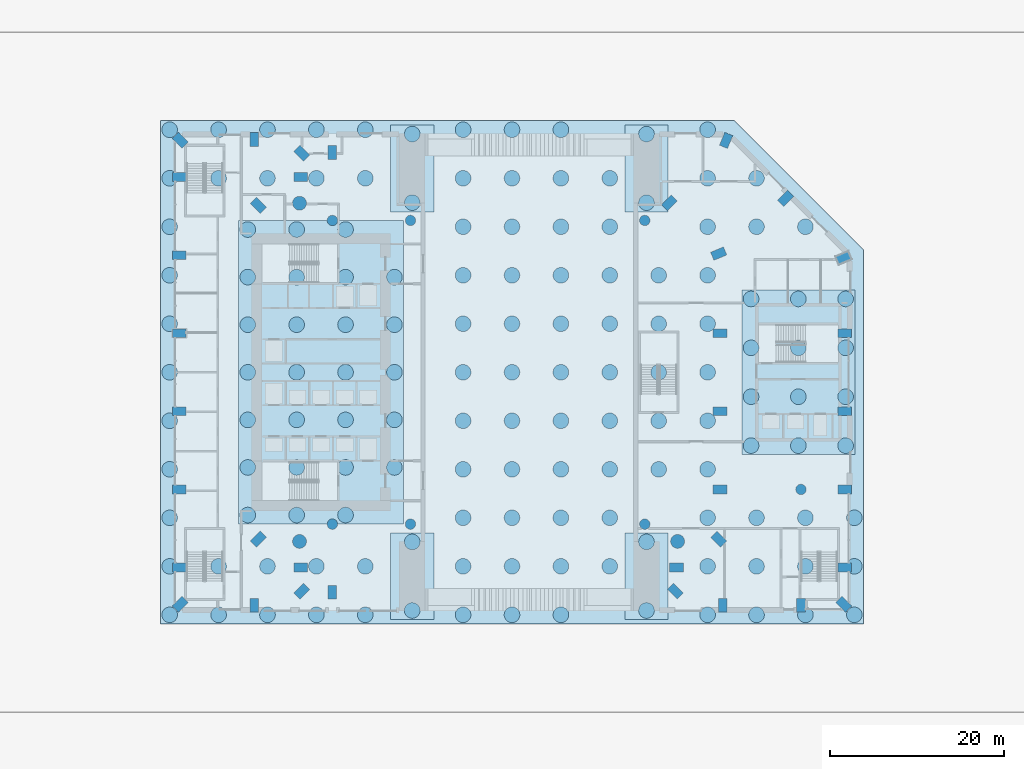
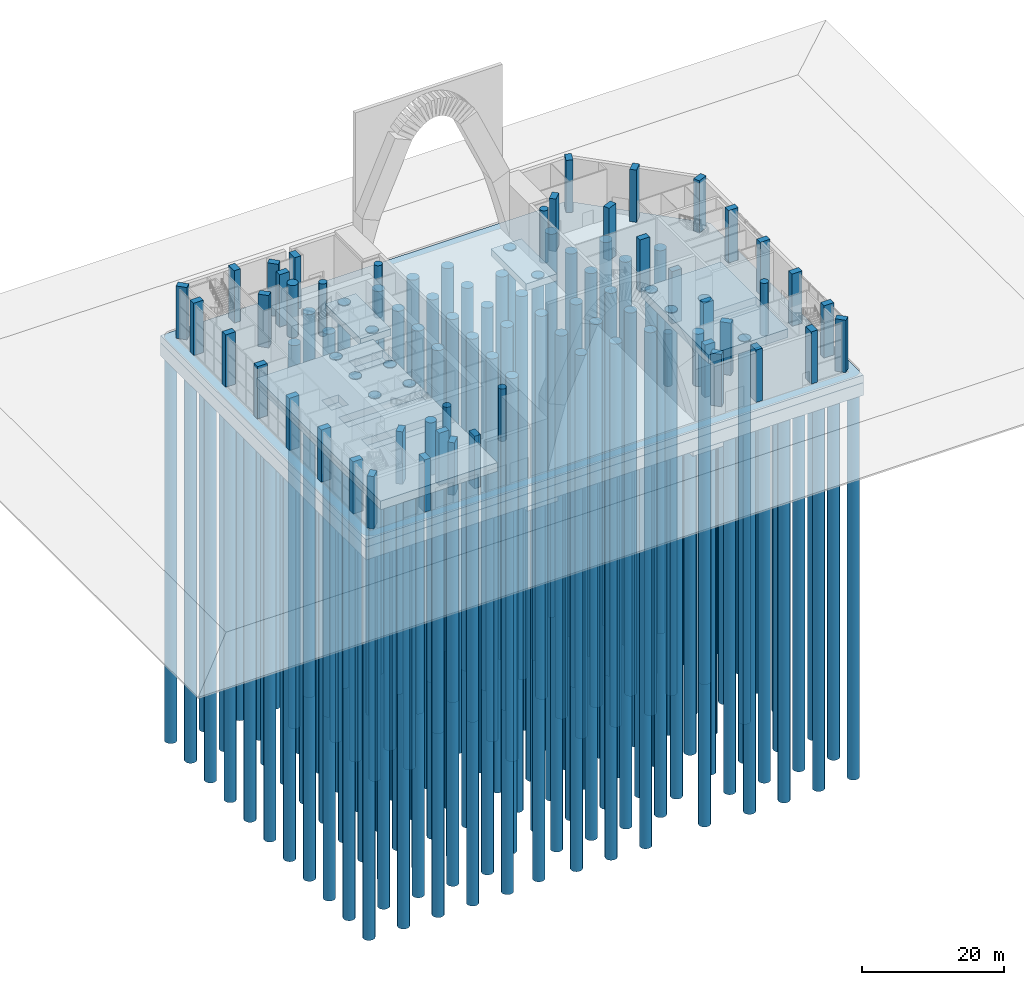
# One storey, part 1 of 25: 143 piles, 46 columns, 8 footings.
"""IFC4 building model written with IfcOpenShell, lengths in metres."""

from ifc_helpers import new_model, si_unit, direction, frame, origin, origin_2d, place, context, subcontext, project, spatial, polyline, rectangle, circle, outline, extrude, material, layer, layer_set, material_profile, profile_set, type_object, element, save


model = new_model("IFC4")

# Units and contexts
model_context = context("Model", 3, precision=1e-05, world=origin(), true_north=direction((0.0, 1.0)))
body_context = subcontext(model_context, "Body", "Model", "MODEL_VIEW")
ifc_project = project(units=[si_unit("LENGTHUNIT", "METRE"), si_unit("AREAUNIT", "SQUARE_METRE"), si_unit("VOLUMEUNIT", "CUBIC_METRE"), si_unit("PLANEANGLEUNIT", "RADIAN"), si_unit("MASSUNIT", "GRAM", prefix="KILO")], contexts=[model_context])

# Site, building, storey
site_placement = place(None, origin())
site = spatial("IfcSite", under=ifc_project, at=site_placement, CompositionType="ELEMENT")
building_placement = place(site_placement, origin())
building = spatial("IfcBuilding", under=site, at=building_placement, Name="Cypress Arch Tower", CompositionType="ELEMENT")
storey_placement = place(building_placement, origin())
storey = spatial("IfcBuildingStorey", under=building, at=storey_placement, Name="L00", CompositionType="ELEMENT", Elevation=0.0)

# Piles
ifc_material_1 = material(Name="Concrete C40/50", Category="concrete")
ifc_material_profile_1 = material_profile(ifc_material_1, circle(Radius=0.89990234375, at=origin_2d()), Name="RC D1800")
ifc_profile_set_1 = profile_set([ifc_material_profile_1], Name="Concrete C40/50")
pile_type = type_object("IfcPileType", Name="Bored pile RC D1800 Concrete C40/50", PredefinedType="BORED", material=ifc_profile_set_1)
for number, where, z_axis, x_axis, name in (
    (1, (-39.449951171875, -27.949951171875, -3.699951171875), (0.0, 0.0, -1.0), (1.0, 0.0, 0.0), "Bored pile 001"),
    (2, (-39.449951171875, -22.360107421875, -3.699951171875), (0.0, 0.0, -1.0), (1.0, 0.0, 0.0), "Bored pile 002"),
    (3, (-39.449951171875, -16.77001953125, -3.699951171875), (0.0, 0.0, -1.0), (1.0, 0.0, 0.0), "Bored pile 003"),
    (4, (-39.449951171875, -11.179931640625, -3.699951171875), (0.0, 0.0, -1.0), (1.0, 0.0, 0.0), "Bored pile 004"),
    (5, (-39.449951171875, -5.590087890625, -3.699951171875), (0.0, 0.0, -1.0), (1.0, 0.0, 0.0), "Bored pile 005"),
    (6, (-39.449951171875, 0.0, -3.699951171875), (0.0, 0.0, -1.0), (1.0, 0.0, 0.0), "Bored pile 006"),
    (7, (-39.449951171875, 5.590087890625, -3.699951171875), (0.0, 0.0, -1.0), (1.0, 0.0, 0.0), "Bored pile 007"),
    (8, (-39.449951171875, 11.179931640625, -3.699951171875), (0.0, 0.0, -1.0), (1.0, 0.0, 0.0), "Bored pile 008"),
    (9, (-39.449951171875, 16.77001953125, -3.699951171875), (0.0, 0.0, -1.0), (1.0, 0.0, 0.0), "Bored pile 009"),
    (10, (-39.449951171875, 22.360107421875, -3.699951171875), (0.0, 0.0, -1.0), (1.0, 0.0, 0.0), "Bored pile 010"),
    (11, (-39.449951171875, 27.949951171875, -3.699951171875), (0.0, 0.0, -1.0), (1.0, 0.0, 0.0), "Bored pile 011"),
    (12, (-33.81396484375, -27.949951171875, -3.699951171875), (0.0, 0.0, -1.0), (1.0, 0.0, 0.0), "Bored pile 012"),
    (13, (-33.81396484375, -22.360107421875, -3.699951171875), (0.0, 0.0, -1.0), (1.0, 0.0, 0.0), "Bored pile 013"),
    (14, (-33.81396484375, 22.360107421875, -3.699951171875), (0.0, 0.0, -1.0), (1.0, 0.0, 0.0), "Bored pile 014"),
    (15, (-33.81396484375, 27.949951171875, -3.699951171875), (0.0, 0.0, -1.0), (1.0, 0.0, 0.0), "Bored pile 015"),
    (16, (-28.178955078125, -27.949951171875, -3.699951171875), (0.0, 0.0, -1.0), (1.0, 0.0, 0.0), "Bored pile 016"),
    (17, (-28.178955078125, -22.360107421875, -3.699951171875), (0.0, 0.0, -1.0), (1.0, 0.0, 0.0), "Bored pile 017"),
    (18, (-28.178955078125, 22.360107421875, -3.699951171875), (0.0, 0.0, -1.0), (1.0, 0.0, 0.0), "Bored pile 018"),
    (19, (-28.178955078125, 27.949951171875, -3.699951171875), (0.0, 0.0, -1.0), (1.0, 0.0, 0.0), "Bored pile 019"),
    (20, (-22.54296875, -27.949951171875, -3.699951171875), (0.0, 0.0, -1.0), (1.0, 0.0, 0.0), "Bored pile 020"),
    (21, (-22.54296875, -22.360107421875, -3.699951171875), (0.0, 0.0, -1.0), (1.0, 0.0, 0.0), "Bored pile 021"),
    (22, (-22.54296875, 22.360107421875, -3.699951171875), (0.0, 0.0, -1.0), (1.0, 0.0, 0.0), "Bored pile 022"),
    (23, (-22.54296875, 27.949951171875, -3.699951171875), (0.0, 0.0, -1.0), (1.0, 0.0, 0.0), "Bored pile 023"),
    (24, (-16.906982421875, -27.949951171875, -3.699951171875), (0.0, 0.0, -1.0), (1.0, 0.0, 0.0), "Bored pile 024"),
    (25, (-16.906982421875, -22.360107421875, -3.699951171875), (0.0, 0.0, -1.0), (1.0, 0.0, 0.0), "Bored pile 025"),
    (26, (-16.906982421875, 22.360107421875, -3.699951171875), (0.0, 0.0, -1.0), (1.0, 0.0, 0.0), "Bored pile 026"),
    (27, (-16.906982421875, 27.949951171875, -3.699951171875), (0.0, 0.0, -1.0), (1.0, 0.0, 0.0), "Bored pile 027"),
    (28, (-5.635986328125, -27.949951171875, -3.699951171875), (0.0, 0.0, -1.0), (1.0, 0.0, 0.0), "Bored pile 028"),
    (29, (-5.635986328125, -22.360107421875, -3.699951171875), (0.0, 0.0, -1.0), (1.0, 0.0, 0.0), "Bored pile 029"),
    (30, (-5.635986328125, -16.77001953125, -3.699951171875), (0.0, 0.0, -1.0), (1.0, 0.0, 0.0), "Bored pile 030"),
    (31, (-5.635986328125, -11.179931640625, -3.699951171875), (0.0, 0.0, -1.0), (1.0, 0.0, 0.0), "Bored pile 031"),
    (32, (-5.635986328125, -5.590087890625, -3.699951171875), (0.0, 0.0, -1.0), (1.0, 0.0, 0.0), "Bored pile 032"),
    (33, (-5.635986328125, 0.0, -3.699951171875), (0.0, 0.0, -1.0), (1.0, 0.0, 0.0), "Bored pile 033"),
    (34, (-5.635986328125, 5.590087890625, -3.699951171875), (0.0, 0.0, -1.0), (1.0, 0.0, 0.0), "Bored pile 034"),
    (35, (-5.635986328125, 11.179931640625, -3.699951171875), (0.0, 0.0, -1.0), (1.0, 0.0, 0.0), "Bored pile 035"),
    (36, (-5.635986328125, 16.77001953125, -3.699951171875), (0.0, 0.0, -1.0), (1.0, 0.0, 0.0), "Bored pile 036"),
    (37, (-5.635986328125, 22.360107421875, -3.699951171875), (0.0, 0.0, -1.0), (1.0, 0.0, 0.0), "Bored pile 037"),
    (38, (-5.635986328125, 27.949951171875, -3.699951171875), (0.0, 0.0, -1.0), (1.0, 0.0, 0.0), "Bored pile 038"),
    (39, (0.0, -27.949951171875, -3.699951171875), (0.0, 0.0, -1.0), (1.0, 0.0, 0.0), "Bored pile 039"),
    (40, (0.0, -22.360107421875, -3.699951171875), (0.0, 0.0, -1.0), (1.0, 0.0, 0.0), "Bored pile 040"),
    (41, (0.0, -16.77001953125, -3.699951171875), (0.0, 0.0, -1.0), (1.0, 0.0, 0.0), "Bored pile 041"),
    (42, (0.0, -11.179931640625, -3.699951171875), (0.0, 0.0, -1.0), (1.0, 0.0, 0.0), "Bored pile 042"),
    (43, (0.0, -5.590087890625, -3.699951171875), (0.0, 0.0, -1.0), (1.0, 0.0, 0.0), "Bored pile 043"),
    (44, (0.0, 0.0, -3.699951171875), (0.0, 0.0, -1.0), (1.0, 0.0, 0.0), "Bored pile 044"),
    (45, (0.0, 5.590087890625, -3.699951171875), (0.0, 0.0, -1.0), (1.0, 0.0, 0.0), "Bored pile 045"),
    (46, (0.0, 11.179931640625, -3.699951171875), (0.0, 0.0, -1.0), (1.0, 0.0, 0.0), "Bored pile 046"),
    (47, (0.0, 16.77001953125, -3.699951171875), (0.0, 0.0, -1.0), (1.0, 0.0, 0.0), "Bored pile 047"),
    (48, (0.0, 22.360107421875, -3.699951171875), (0.0, 0.0, -1.0), (1.0, 0.0, 0.0), "Bored pile 048"),
    (49, (0.0, 27.949951171875, -3.699951171875), (0.0, 0.0, -1.0), (1.0, 0.0, 0.0), "Bored pile 049"),
    (50, (5.635986328125, -27.949951171875, -3.699951171875), (0.0, 0.0, -1.0), (1.0, 0.0, 0.0), "Bored pile 050"),
    (51, (5.635986328125, -22.360107421875, -3.699951171875), (0.0, 0.0, -1.0), (1.0, 0.0, 0.0), "Bored pile 051"),
    (52, (5.635986328125, -16.77001953125, -3.699951171875), (0.0, 0.0, -1.0), (1.0, 0.0, 0.0), "Bored pile 052"),
    (53, (5.635986328125, -11.179931640625, -3.699951171875), (0.0, 0.0, -1.0), (1.0, 0.0, 0.0), "Bored pile 053"),
    (54, (5.635986328125, -5.590087890625, -3.699951171875), (0.0, 0.0, -1.0), (1.0, 0.0, 0.0), "Bored pile 054"),
    (55, (5.635986328125, 0.0, -3.699951171875), (0.0, 0.0, -1.0), (1.0, 0.0, 0.0), "Bored pile 055"),
    (56, (5.635986328125, 5.590087890625, -3.699951171875), (0.0, 0.0, -1.0), (1.0, 0.0, 0.0), "Bored pile 056"),
    (57, (5.635986328125, 11.179931640625, -3.699951171875), (0.0, 0.0, -1.0), (1.0, 0.0, 0.0), "Bored pile 057"),
    (58, (5.635986328125, 16.77001953125, -3.699951171875), (0.0, 0.0, -1.0), (1.0, 0.0, 0.0), "Bored pile 058"),
    (59, (5.635986328125, 22.360107421875, -3.699951171875), (0.0, 0.0, -1.0), (1.0, 0.0, 0.0), "Bored pile 059"),
    (60, (5.635986328125, 27.949951171875, -3.699951171875), (0.0, 0.0, -1.0), (1.0, 0.0, 0.0), "Bored pile 060"),
    (61, (11.27099609375, -22.360107421875, -3.699951171875), (0.0, 0.0, -1.0), (1.0, 0.0, 0.0), "Bored pile 061"),
    (62, (11.27099609375, -16.77001953125, -3.699951171875), (0.0, 0.0, -1.0), (1.0, 0.0, 0.0), "Bored pile 062"),
    (63, (11.27099609375, -11.179931640625, -3.699951171875), (0.0, 0.0, -1.0), (1.0, 0.0, 0.0), "Bored pile 063"),
    (64, (11.27099609375, -5.590087890625, -3.699951171875), (0.0, 0.0, -1.0), (1.0, 0.0, 0.0), "Bored pile 064"),
    (65, (11.27099609375, 0.0, -3.699951171875), (0.0, 0.0, -1.0), (1.0, 0.0, 0.0), "Bored pile 065"),
    (66, (11.27099609375, 5.590087890625, -3.699951171875), (0.0, 0.0, -1.0), (1.0, 0.0, 0.0), "Bored pile 066"),
    (67, (11.27099609375, 11.179931640625, -3.699951171875), (0.0, 0.0, -1.0), (1.0, 0.0, 0.0), "Bored pile 067"),
    (68, (11.27099609375, 16.77001953125, -3.699951171875), (0.0, 0.0, -1.0), (1.0, 0.0, 0.0), "Bored pile 068"),
    (69, (11.27099609375, 22.360107421875, -3.699951171875), (0.0, 0.0, -1.0), (1.0, 0.0, 0.0), "Bored pile 069"),
    (70, (16.906982421875, -11.179931640625, -3.699951171875), (0.0, 0.0, -1.0), (1.0, 0.0, 0.0), "Bored pile 070"),
    (71, (16.906982421875, -5.590087890625, -3.699951171875), (0.0, 0.0, -1.0), (1.0, 0.0, 0.0), "Bored pile 071"),
    (72, (16.906982421875, 0.0, -3.699951171875), (0.0, 0.0, -1.0), (1.0, 0.0, 0.0), "Bored pile 072"),
    (73, (16.906982421875, 5.590087890625, -3.699951171875), (0.0, 0.0, -1.0), (1.0, 0.0, 0.0), "Bored pile 073"),
    (74, (16.906982421875, 11.179931640625, -3.699951171875), (0.0, 0.0, -1.0), (1.0, 0.0, 0.0), "Bored pile 074"),
    (75, (22.54296875, -27.949951171875, -3.699951171875), (0.0, 0.0, -1.0), (1.0, 0.0, 0.0), "Bored pile 075"),
    (76, (22.54296875, -22.360107421875, -3.699951171875), (0.0, 0.0, -1.0), (1.0, 0.0, 0.0), "Bored pile 076"),
    (77, (22.54296875, -16.77001953125, -3.699951171875), (0.0, 0.0, -1.0), (1.0, 0.0, 0.0), "Bored pile 077"),
    (78, (22.54296875, -11.179931640625, -3.699951171875), (0.0, 0.0, -1.0), (1.0, 0.0, 0.0), "Bored pile 078"),
    (79, (22.54296875, -5.590087890625, -3.699951171875), (0.0, 0.0, -1.0), (1.0, 0.0, 0.0), "Bored pile 079"),
    (80, (22.54296875, 0.0, -3.699951171875), (0.0, 0.0, -1.0), (1.0, 0.0, 0.0), "Bored pile 080"),
    (81, (22.54296875, 5.590087890625, -3.699951171875), (0.0, 0.0, -1.0), (1.0, 0.0, 0.0), "Bored pile 081"),
    (82, (22.54296875, 11.179931640625, -3.699951171875), (0.0, 0.0, -1.0), (1.0, 0.0, 0.0), "Bored pile 082"),
    (83, (22.54296875, 16.77001953125, -3.699951171875), (0.0, 0.0, -1.0), (1.0, 0.0, 0.0), "Bored pile 083"),
    (84, (22.54296875, 22.360107421875, -3.699951171875), (0.0, 0.0, -1.0), (1.0, 0.0, 0.0), "Bored pile 084"),
    (85, (22.54296875, 27.949951171875, -3.699951171875), (0.0, 0.0, -1.0), (1.0, 0.0, 0.0), "Bored pile 085"),
    (86, (28.178955078125, -27.949951171875, -3.699951171875), (0.0, 0.0, -1.0), (1.0, 0.0, 0.0), "Bored pile 086"),
    (87, (28.178955078125, -22.360107421875, -3.699951171875), (0.0, 0.0, -1.0), (1.0, 0.0, 0.0), "Bored pile 087"),
    (88, (28.178955078125, -16.77001953125, -3.699951171875), (0.0, 0.0, -1.0), (1.0, 0.0, 0.0), "Bored pile 088"),
    (89, (28.178955078125, 16.77001953125, -3.699951171875), (0.0, 0.0, -1.0), (1.0, 0.0, 0.0), "Bored pile 089"),
    (90, (28.178955078125, 22.360107421875, -3.699951171875), (0.0, 0.0, -1.0), (1.0, 0.0, 0.0), "Bored pile 090"),
    (91, (33.81396484375, -27.949951171875, -3.699951171875), (0.0, 0.0, -1.0), (1.0, 0.0, 0.0), "Bored pile 091"),
    (92, (33.81396484375, -22.360107421875, -3.699951171875), (0.0, 0.0, -1.0), (1.0, 0.0, 0.0), "Bored pile 092"),
    (93, (33.81396484375, -16.77001953125, -3.699951171875), (0.0, 0.0, -1.0), (1.0, 0.0, 0.0), "Bored pile 093"),
    (94, (33.81396484375, 16.77001953125, -3.699951171875), (0.0, 0.0, -1.0), (1.0, 0.0, 0.0), "Bored pile 094"),
    (95, (39.449951171875, -27.949951171875, -3.699951171875), (0.0, 0.0, -1.0), (1.0, 0.0, 0.0), "Bored pile 095"),
    (96, (39.449951171875, -22.360107421875, -3.699951171875), (0.0, 0.0, -1.0), (1.0, 0.0, 0.0), "Bored pile 096"),
    (97, (39.449951171875, -16.77001953125, -3.699951171875), (0.0, 0.0, -1.0), (1.0, 0.0, 0.0), "Bored pile 097"),
    (98, (-11.5, -27.449951171875, -3.699951171875), (0.0, 0.0, -1.0), (1.0, 0.0, 0.0), "Bored pile 098"),
    (99, (-11.5, -19.550048828125, -3.699951171875), (0.0, 0.0, -1.0), (1.0, 0.0, 0.0), "Bored pile 099"),
    (100, (15.5, -27.449951171875, -3.699951171875), (0.0, 0.0, -1.0), (1.0, 0.0, 0.0), "Bored pile 100"),
    (101, (15.5, -19.550048828125, -3.699951171875), (0.0, 0.0, -1.0), (1.0, 0.0, 0.0), "Bored pile 101"),
    (102, (-11.5, 19.550048828125, -3.699951171875), (0.0, 0.0, -1.0), (1.0, 0.0, 0.0), "Bored pile 102"),
    (103, (-11.5, 27.449951171875, -3.699951171875), (0.0, 0.0, -1.0), (1.0, 0.0, 0.0), "Bored pile 103"),
    (104, (15.5, 19.550048828125, -3.699951171875), (0.0, 0.0, -1.0), (1.0, 0.0, 0.0), "Bored pile 104"),
    (105, (15.5, 27.449951171875, -3.699951171875), (0.0, 0.0, -1.0), (1.0, 0.0, 0.0), "Bored pile 105"),
    (106, (-30.449951171875, -16.449951171875, -3.699951171875), (0.0, 0.0, -1.0), (1.0, 0.0, 0.0), "Bored pile 106"),
    (107, (-30.449951171875, -10.967041015625, -3.699951171875), (0.0, 0.0, -1.0), (1.0, 0.0, 0.0), "Bored pile 107"),
    (108, (-30.449951171875, -5.48291015625, -3.699951171875), (0.0, 0.0, -1.0), (1.0, 0.0, 0.0), "Bored pile 108"),
    (109, (-30.449951171875, 0.0, -3.699951171875), (0.0, 0.0, -1.0), (1.0, 0.0, 0.0), "Bored pile 109"),
    (110, (-30.449951171875, 5.48291015625, -3.699951171875), (0.0, 0.0, -1.0), (1.0, 0.0, 0.0), "Bored pile 110"),
    (111, (-30.449951171875, 10.967041015625, -3.699951171875), (0.0, 0.0, -1.0), (1.0, 0.0, 0.0), "Bored pile 111"),
    (112, (-30.449951171875, 16.449951171875, -3.699951171875), (0.0, 0.0, -1.0), (1.0, 0.0, 0.0), "Bored pile 112"),
    (113, (-24.81689453125, -16.449951171875, -3.699951171875), (0.0, 0.0, -1.0), (1.0, 0.0, 0.0), "Bored pile 113"),
    (114, (-24.81689453125, -10.967041015625, -3.699951171875), (0.0, 0.0, -1.0), (1.0, 0.0, 0.0), "Bored pile 114"),
    (115, (-24.81689453125, -5.48291015625, -3.699951171875), (0.0, 0.0, -1.0), (1.0, 0.0, 0.0), "Bored pile 115"),
    (116, (-24.81689453125, 0.0, -3.699951171875), (0.0, 0.0, -1.0), (1.0, 0.0, 0.0), "Bored pile 116"),
    (117, (-24.81689453125, 5.48291015625, -3.699951171875), (0.0, 0.0, -1.0), (1.0, 0.0, 0.0), "Bored pile 117"),
    (118, (-24.81689453125, 10.967041015625, -3.699951171875), (0.0, 0.0, -1.0), (1.0, 0.0, 0.0), "Bored pile 118"),
    (119, (-24.81689453125, 16.449951171875, -3.699951171875), (0.0, 0.0, -1.0), (1.0, 0.0, 0.0), "Bored pile 119"),
    (120, (-19.18310546875, -16.449951171875, -3.699951171875), (0.0, 0.0, -1.0), (1.0, 0.0, 0.0), "Bored pile 120"),
    (121, (-19.18310546875, -10.967041015625, -3.699951171875), (0.0, 0.0, -1.0), (1.0, 0.0, 0.0), "Bored pile 121"),
    (122, (-19.18310546875, -5.48291015625, -3.699951171875), (0.0, 0.0, -1.0), (1.0, 0.0, 0.0), "Bored pile 122"),
    (123, (-19.18310546875, 0.0, -3.699951171875), (0.0, 0.0, -1.0), (1.0, 0.0, 0.0), "Bored pile 123"),
    (124, (-19.18310546875, 5.48291015625, -3.699951171875), (0.0, 0.0, -1.0), (1.0, 0.0, 0.0), "Bored pile 124"),
    (125, (-19.18310546875, 10.967041015625, -3.699951171875), (0.0, 0.0, -1.0), (1.0, 0.0, 0.0), "Bored pile 125"),
    (126, (-19.18310546875, 16.449951171875, -3.699951171875), (0.0, 0.0, -1.0), (1.0, 0.0, 0.0), "Bored pile 126"),
    (127, (-13.550048828125, -10.967041015625, -3.699951171875), (0.0, 0.0, -1.0), (1.0, 0.0, 0.0), "Bored pile 127"),
    (128, (-13.550048828125, -5.48291015625, -3.699951171875), (0.0, 0.0, -1.0), (1.0, 0.0, 0.0), "Bored pile 128"),
    (129, (-13.550048828125, 0.0, -3.699951171875), (0.0, 0.0, -1.0), (1.0, 0.0, 0.0), "Bored pile 129"),
    (130, (-13.550048828125, 5.48291015625, -3.699951171875), (0.0, 0.0, -1.0), (1.0, 0.0, 0.0), "Bored pile 130"),
    (131, (-13.550048828125, 10.967041015625, -3.699951171875), (0.0, 0.0, -1.0), (1.0, 0.0, 0.0), "Bored pile 131"),
    (132, (27.550048828125, -8.449951171875, -3.699951171875), (0.0, 0.0, -1.0), (1.0, 0.0, 0.0), "Bored pile 132"),
    (133, (27.550048828125, -2.81689453125, -3.699951171875), (0.0, 0.0, -1.0), (1.0, 0.0, 0.0), "Bored pile 133"),
    (134, (27.550048828125, 2.81689453125, -3.699951171875), (0.0, 0.0, -1.0), (1.0, 0.0, 0.0), "Bored pile 134"),
    (135, (27.550048828125, 8.449951171875, -3.699951171875), (0.0, 0.0, -1.0), (1.0, 0.0, 0.0), "Bored pile 135"),
    (136, (33.0, -8.449951171875, -3.699951171875), (0.0, 0.0, -1.0), (1.0, 0.0, 0.0), "Bored pile 136"),
    (137, (33.0, -2.81689453125, -3.699951171875), (0.0, 0.0, -1.0), (1.0, 0.0, 0.0), "Bored pile 137"),
    (138, (33.0, 2.81689453125, -3.699951171875), (0.0, 0.0, -1.0), (1.0, 0.0, 0.0), "Bored pile 138"),
    (139, (33.0, 8.449951171875, -3.699951171875), (0.0, 0.0, -1.0), (1.0, 0.0, 0.0), "Bored pile 139"),
    (140, (38.449951171875, -8.449951171875, -3.699951171875), (0.0, 0.0, -1.0), (1.0, 0.0, 0.0), "Bored pile 140"),
    (141, (38.449951171875, -2.81689453125, -3.699951171875), (0.0, 0.0, -1.0), (1.0, 0.0, 0.0), "Bored pile 141"),
    (142, (38.449951171875, 2.81689453125, -3.699951171875), (0.0, 0.0, -1.0), (1.0, 0.0, 0.0), "Bored pile 142"),
    (143, (38.449951171875, 8.449951171875, -3.699951171875), (0.0, 0.0, -1.0), (1.0, 0.0, 0.0), "Bored pile 143"),
):
    element("IfcPile", number, at=place(storey_placement, frame(where, z_axis=z_axis, x_axis=x_axis)), inside=storey, type_object=pile_type, Name=name, PredefinedType="BORED", context=body_context, shape_type="SweptSolid", body=[
        extrude(circle(Radius=0.89990234375, at=origin_2d()), origin(), (0.0, 0.0, 1.0), 66.0),
    ])

# Footings
ifc_material_2 = material(Name="Concrete C40/50", Category="concrete")
ifc_layer_1 = layer(ifc_material_2, 1.199951171875)
ifc_layer_set_1 = layer_set([ifc_layer_1], Name="Pad footing 1200 Concrete C40/50")
footing_type_1 = type_object("IfcFootingType", Name="Pad footing 1200 Concrete C40/50", PredefinedType="PAD_FOOTING", material=ifc_layer_set_1)
footing_1_placement = place(storey_placement, frame((0.0, 0.0, -5.0)))
element("IfcFooting", 144, at=footing_1_placement, inside=storey, type_object=footing_type_1, Name="Gate abutment pad PW-WS", PredefinedType="PAD_FOOTING", context=body_context, shape_type="SweptSolid", body=[
    extrude(outline(polyline([(-14.0, -28.5), (-14.0, -18.5), (-9.0, -18.5), (-9.0, -28.5), (-14.0, -28.5)])), origin(), (0.0, 0.0, 1.0), 1.199951171875),
])
footing_2_placement = place(storey_placement, frame((0.0, 0.0, -5.0)))
element("IfcFooting", 145, at=footing_2_placement, inside=storey, type_object=footing_type_1, Name="Gate abutment pad PW-ES", PredefinedType="PAD_FOOTING", context=body_context, shape_type="SweptSolid", body=[
    extrude(outline(polyline([(13.0, -28.5), (13.0, -18.5), (18.0, -18.5), (18.0, -28.5), (13.0, -28.5)])), origin(), (0.0, 0.0, 1.0), 1.199951171875),
])
footing_3_placement = place(storey_placement, frame((0.0, 0.0, -5.0)))
element("IfcFooting", 146, at=footing_3_placement, inside=storey, type_object=footing_type_1, Name="Gate abutment pad PW-WN", PredefinedType="PAD_FOOTING", context=body_context, shape_type="SweptSolid", body=[
    extrude(outline(polyline([(-14.0, 18.5), (-14.0, 28.5), (-9.0, 28.5), (-9.0, 18.5), (-14.0, 18.5)])), origin(), (0.0, 0.0, 1.0), 1.199951171875),
])
footing_4_placement = place(storey_placement, frame((0.0, 0.0, -5.0)))
element("IfcFooting", 147, at=footing_4_placement, inside=storey, type_object=footing_type_1, Name="Gate abutment pad PW-EN", PredefinedType="PAD_FOOTING", context=body_context, shape_type="SweptSolid", body=[
    extrude(outline(polyline([(13.0, 18.5), (13.0, 28.5), (18.0, 28.5), (18.0, 18.5), (13.0, 18.5)])), origin(), (0.0, 0.0, 1.0), 1.199951171875),
])
ifc_material_3 = material(Name="Concrete C40/50", Category="concrete")
ifc_layer_2 = layer(ifc_material_3, 1.5)
ifc_layer_set_2 = layer_set([ifc_layer_2], Name="Pad footing 1500 Concrete C40/50")
footing_type_2 = type_object("IfcFootingType", Name="Pad footing 1500 Concrete C40/50", PredefinedType="PAD_FOOTING", material=ifc_layer_set_2)
footing_5_placement = place(storey_placement, frame((0.0, 0.0, -5.300048828125)))
element("IfcFooting", 148, at=footing_5_placement, inside=storey, type_object=footing_type_2, Name="Core mat west", PredefinedType="PAD_FOOTING", context=body_context, shape_type="SweptSolid", body=[
    extrude(outline(polyline([(-31.5, -17.5), (-31.5, 17.5), (-12.5, 17.5), (-12.5, -17.5), (-31.5, -17.5)])), origin(), (0.0, 0.0, 1.0), 1.5),
])
footing_6_placement = place(storey_placement, frame((0.0, 0.0, -5.300048828125)))
element("IfcFooting", 149, at=footing_6_placement, inside=storey, type_object=footing_type_2, Name="Core mat east", PredefinedType="PAD_FOOTING", context=body_context, shape_type="SweptSolid", body=[
    extrude(outline(polyline([(26.5, -9.5), (26.5, 9.5), (39.5, 9.5), (39.5, -9.5), (26.5, -9.5)])), origin(), (0.0, 0.0, 1.0), 1.5),
])
ifc_material_4 = material(Name="Concrete C40/50", Category="concrete")
ifc_layer_3 = layer(ifc_material_4, 3.5)
ifc_layer_set_3 = layer_set([ifc_layer_3], Name="Raft 3500 Concrete C40/50")
footing_type_3 = type_object("IfcFootingType", Name="Raft 3500 Concrete C40/50", PredefinedType="PILE_CAP", material=ifc_layer_set_3)
footing_7_placement = place(storey_placement, frame((0.0, 0.0, -3.800048828125)))
element("IfcFooting", 150, at=footing_7_placement, inside=storey, type_object=footing_type_3, Name="Raft base layer", PredefinedType="PILE_CAP", context=body_context, shape_type="SweptSolid", body=[
    extrude(outline(polyline([(-40.5, -29.0), (40.5, -29.0), (40.5, 14.121337890625), (25.621337890625, 29.0), (-40.5, 29.0), (-40.5, -29.0)])), origin(), (0.0, 0.0, 1.0), 2.199951171875),
])
footing_8_placement = place(storey_placement, frame((0.0, 0.0, -1.60009765625)))
element("IfcFooting", 151, at=footing_8_placement, inside=storey, type_object=footing_type_3, Name="Raft upper layer", PredefinedType="PILE_CAP", context=body_context, shape_type="SweptSolid", body=[
    extrude(outline(polyline([(-40.5, 29.0), (25.621337890625, 29.0), (40.5, 14.121337890625), (40.5, -29.0), (-40.5, -29.0), (-40.5, 29.0)]), holes=[polyline([(-26.080078125, -7.39990234375), (-28.800048828125, -7.39990234375), (-28.800048828125, -10.199951171875), (-26.080078125, -10.199951171875), (-23.360107421875, -10.199951171875), (-20.639892578125, -10.199951171875), (-17.919921875, -10.199951171875), (-15.199951171875, -10.199951171875), (-15.199951171875, -7.39990234375), (-17.919921875, -7.39990234375), (-20.639892578125, -7.39990234375), (-23.360107421875, -7.39990234375), (-26.080078125, -7.39990234375)]), polyline([(-26.080078125, -1.0), (-28.800048828125, -1.0), (-28.800048828125, -3.800048828125), (-26.080078125, -3.800048828125), (-23.360107421875, -3.800048828125), (-20.639892578125, -3.800048828125), (-17.919921875, -3.800048828125), (-15.199951171875, -3.800048828125), (-15.199951171875, -1.0), (-17.919921875, -1.0), (-20.639892578125, -1.0), (-23.360107421875, -1.0), (-26.080078125, -1.0)]), polyline([(-26.080078125, 3.800048828125), (-28.800048828125, 3.800048828125), (-28.800048828125, 1.0), (-26.080078125, 1.0), (-26.080078125, 3.800048828125)]), polyline([(31.25, -4.800048828125), (28.39990234375, -4.800048828125), (28.39990234375, -7.60009765625), (31.25, -7.60009765625), (34.10009765625, -7.60009765625), (36.949951171875, -7.60009765625), (36.949951171875, -4.800048828125), (34.10009765625, -4.800048828125), (31.25, -4.800048828125)]), polyline([(-17.919921875, 10.199951171875), (-20.639892578125, 10.199951171875), (-20.639892578125, 7.39990234375), (-17.919921875, 7.39990234375), (-15.199951171875, 7.39990234375), (-15.199951171875, 10.199951171875), (-17.919921875, 10.199951171875)])]), origin(), (0.0, 0.0, 1.0), 1.300048828125),
])

# Columns
ifc_material_5 = material(Name="Concrete C80/95", Category="concrete")
ifc_material_profile_2 = material_profile(ifc_material_5, circle(Radius=0.60009765625, at=origin_2d()), Name="RC D1200")
ifc_profile_set_2 = profile_set([ifc_material_profile_2], Name="Concrete C80/95")
column_type_1 = type_object("IfcColumnType", Name="Column RC D1200 Concrete C80/95", PredefinedType="COLUMN", material=ifc_profile_set_2)
for number, where, z_axis, x_axis, name in (
    (152, (-20.699951171875, -17.5, 0.0), (0.0, 0.0, 1.0), (1.0, 0.0, 0.0), "Column L00 CIC-L00-CI3S"),
    (153, (-11.699951171875, -17.5, 0.0), (0.0, 0.0, 1.0), (1.0, 0.0, 0.0), "Column L00 CIC-L00-CI4S"),
    (154, (15.300048828125, -17.5, 0.0), (0.0, 0.0, 1.0), (1.0, 0.0, 0.0), "Column L00 CIC-L00-CI7S"),
    (155, (-20.699951171875, 17.5, 0.0), (0.0, 0.0, 1.0), (1.0, 0.0, 0.0), "Column L00 CIC-L00-CI3N"),
    (156, (-11.699951171875, 17.5, 0.0), (0.0, 0.0, 1.0), (1.0, 0.0, 0.0), "Column L00 CIC-L00-CI4N"),
    (157, (15.300048828125, 17.5, 0.0), (0.0, 0.0, 1.0), (1.0, 0.0, 0.0), "Column L00 CIC-L00-CI7N"),
    (158, (33.300048828125, -13.5, 0.0), (0.0, 0.0, 1.0), (1.0, 0.0, 0.0), "Column L00 PIC-L00-01"),
):
    element("IfcColumn", number, at=place(storey_placement, frame(where, z_axis=z_axis, x_axis=x_axis)), inside=storey, type_object=column_type_1, Name=name, PredefinedType="COLUMN", context=body_context, shape_type="SweptSolid", body=[
        extrude(circle(Radius=0.60009765625, at=origin_2d()), origin(), (0.0, 0.0, 1.0), 9.0),
    ])
ifc_material_6 = material(Name="Concrete C80/95", Category="concrete")
ifc_material_profile_3 = material_profile(ifc_material_6, circle(Radius=0.800048828125, at=origin_2d()), Name="RC D1600")
ifc_profile_set_3 = profile_set([ifc_material_profile_3], Name="Concrete C80/95")
column_type_2 = type_object("IfcColumnType", Name="Mega-column RC D1600 Concrete C80/95", PredefinedType="COLUMN", material=ifc_profile_set_3)
for number, where, z_axis, x_axis, name in (
    (159, (-24.48779296875, -19.48779296875, 0.0), (0.0, 0.0, 1.0), (1.0, 0.0, 0.0), "Column L00 CA02"),
    (160, (19.087890625, -19.48779296875, 0.0), (0.0, 0.0, 1.0), (1.0, 0.0, 0.0), "Column L00 CA12"),
    (161, (-24.48779296875, 19.48779296875, 0.0), (0.0, 0.0, 1.0), (1.0, 0.0, 0.0), "Column L00 CA26"),
):
    element("IfcColumn", number, at=place(storey_placement, frame(where, z_axis=z_axis, x_axis=x_axis)), inside=storey, type_object=column_type_2, Name=name, PredefinedType="COLUMN", context=body_context, shape_type="SweptSolid", body=[
        extrude(circle(Radius=0.800048828125, at=origin_2d()), origin(), (0.0, 0.0, 1.0), 9.0),
    ])
ifc_material_7 = material(Name="Concrete C80/95", Category="concrete")
ifc_material_profile_4 = material_profile(ifc_material_7, rectangle(XDim=1.0, YDim=1.60009765625, at=origin_2d()), Name="RC 1000x1600")
ifc_profile_set_4 = profile_set([ifc_material_profile_4], Name="Concrete C80/95")
column_type_3 = type_object("IfcColumnType", Name="Podium column RC 1000x1600 Concrete C80/95", PredefinedType="COLUMN", material=ifc_profile_set_4)
for number, where, z_axis, x_axis, name in (
    (162, (-29.230712890625, 19.230712890625, 0.0), (0.0, 0.0, 1.0), (-0.707106781187, -0.707106781187, 0.0), "Column L00 CA00"),
    (163, (-29.230712890625, -19.230712890625, 0.0), (0.0, 0.0, 1.0), (0.707106781187, -0.707106781187, 0.0), "Column L00 CA01"),
    (164, (-24.35009765625, -22.5, 0.0), (0.0, 0.0, 1.0), (0.0, -1.0, 0.0), "Column L00 CA03"),
    (165, (-24.230712890625, -25.230712890625, 0.0), (0.0, 0.0, 1.0), (0.707106781187, -0.707106781187, 0.0), "Column L00 CA04"),
    (166, (-20.699951171875, -25.35009765625, 0.0), (0.0, 0.0, 1.0), (1.0, 0.0, 0.0), "Column L00 CA05"),
    (167, (18.830810546875, -25.230712890625, 0.0), (0.0, 0.0, 1.0), (0.707106781187, 0.707106781187, 0.0), "Column L00 CA10"),
    (168, (18.949951171875, -22.5, 0.0), (0.0, 0.0, 1.0), (0.0, 1.0, 0.0), "Column L00 CA11"),
    (169, (23.830810546875, -19.230712890625, 0.0), (0.0, 0.0, 1.0), (0.707106781187, 0.707106781187, 0.0), "Column L00 CA13"),
    (170, (23.949951171875, -13.5, 0.0), (0.0, 0.0, 1.0), (0.0, 1.0, 0.0), "Column L00 CA14"),
    (171, (23.949951171875, -4.5, 0.0), (0.0, 0.0, 1.0), (0.0, 1.0, 0.0), "Column L00 CA15"),
    (172, (23.949951171875, 4.5, 0.0), (0.0, 0.0, 1.0), (0.0, 1.0, 0.0), "Column L00 CA16"),
    (173, (23.819580078125, 13.6767578125, 0.0), (0.0, 0.0, 1.0), (-0.382683496864, 0.923879505795, 0.0), "Column L00 CA17"),
    (174, (18.140380859375, 19.540283203125, 0.0), (0.0, 0.0, 1.0), (-0.707106781187, 0.707106781187, 0.0), "Column L00 CA18"),
    (175, (-20.699951171875, 25.35009765625, 0.0), (0.0, 0.0, 1.0), (-1.0, 0.0, 0.0), "Column L00 CA23"),
    (176, (-24.230712890625, 25.230712890625, 0.0), (0.0, 0.0, 1.0), (-0.707106781187, -0.707106781187, 0.0), "Column L00 CA24"),
    (177, (-24.35009765625, 22.5, 0.0), (0.0, 0.0, 1.0), (0.0, -1.0, 0.0), "Column L00 CA25"),
    (178, (-38.230712890625, -26.730712890625, 0.0), (0.0, 0.0, 1.0), (0.707106781187, -0.707106781187, 0.0), "Column L00 CP00"),
    (179, (-29.699951171875, -26.85009765625, 0.0), (0.0, 0.0, 1.0), (1.0, 0.0, 0.0), "Column L00 CP01"),
    (180, (24.300048828125, -26.85009765625, 0.0), (0.0, 0.0, 1.0), (1.0, 0.0, 0.0), "Column L00 CP07"),
    (181, (33.300048828125, -26.85009765625, 0.0), (0.0, 0.0, 1.0), (1.0, 0.0, 0.0), "Column L00 CP08"),
    (182, (38.230712890625, -26.730712890625, 0.0), (0.0, 0.0, 1.0), (0.707106781187, 0.707106781187, 0.0), "Column L00 CP09"),
    (183, (38.35009765625, -22.5, 0.0), (0.0, 0.0, 1.0), (0.0, 1.0, 0.0), "Column L00 CP10"),
    (184, (38.35009765625, -13.5, 0.0), (0.0, 0.0, 1.0), (0.0, 1.0, 0.0), "Column L00 CP11"),
    (185, (38.35009765625, -4.5, 0.0), (0.0, 0.0, 1.0), (0.0, 1.0, 0.0), "Column L00 CP12"),
    (186, (38.35009765625, 4.5, 0.0), (0.0, 0.0, 1.0), (0.0, 1.0, 0.0), "Column L00 CP13"),
    (187, (38.219482421875, 13.1767578125, 0.0), (0.0, 0.0, 1.0), (-0.382683496864, 0.923879505795, 0.0), "Column L00 CP14"),
    (188, (31.540283203125, 20.040283203125, 0.0), (0.0, 0.0, 1.0), (-0.707106781187, 0.707106781187, 0.0), "Column L00 CP15"),
    (189, (24.6767578125, 26.719482421875, 0.0), (0.0, 0.0, 1.0), (-0.923879505795, 0.382683496864, 0.0), "Column L00 CP16"),
    (190, (-29.699951171875, 26.85009765625, 0.0), (0.0, 0.0, 1.0), (-1.0, 0.0, 0.0), "Column L00 CP22"),
    (191, (-38.230712890625, 26.730712890625, 0.0), (0.0, 0.0, 1.0), (-0.707106781187, -0.707106781187, 0.0), "Column L00 CP23"),
    (192, (-38.35009765625, 22.5, 0.0), (0.0, 0.0, 1.0), (0.0, -1.0, 0.0), "Column L00 CP24"),
    (193, (-38.35009765625, 13.5, 0.0), (0.0, 0.0, 1.0), (0.0, -1.0, 0.0), "Column L00 CP25"),
    (194, (-38.35009765625, 4.5, 0.0), (0.0, 0.0, 1.0), (0.0, -1.0, 0.0), "Column L00 CP26"),
    (195, (-38.35009765625, -4.5, 0.0), (0.0, 0.0, 1.0), (0.0, -1.0, 0.0), "Column L00 CP27"),
    (196, (-38.35009765625, -13.5, 0.0), (0.0, 0.0, 1.0), (0.0, -1.0, 0.0), "Column L00 CP28"),
    (197, (-38.35009765625, -22.5, 0.0), (0.0, 0.0, 1.0), (0.0, -1.0, 0.0), "Column L00 CP29"),
):
    element("IfcColumn", number, at=place(storey_placement, frame(where, z_axis=z_axis, x_axis=x_axis)), inside=storey, type_object=column_type_3, Name=name, PredefinedType="COLUMN", context=body_context, shape_type="SweptSolid", body=[
        extrude(rectangle(XDim=1.0, YDim=1.60009765625, at=origin_2d()), origin(), (0.0, 0.0, 1.0), 9.0),
    ])

save(model, "model.ifc")
